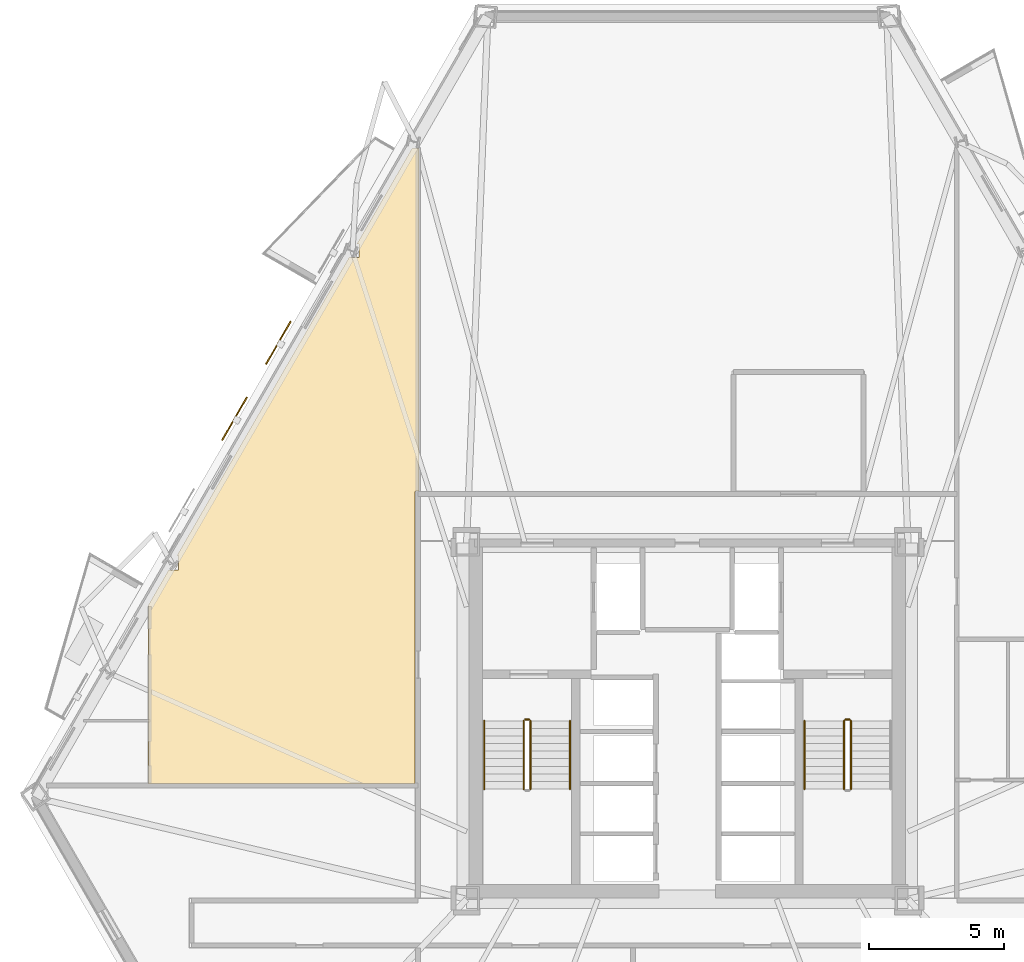
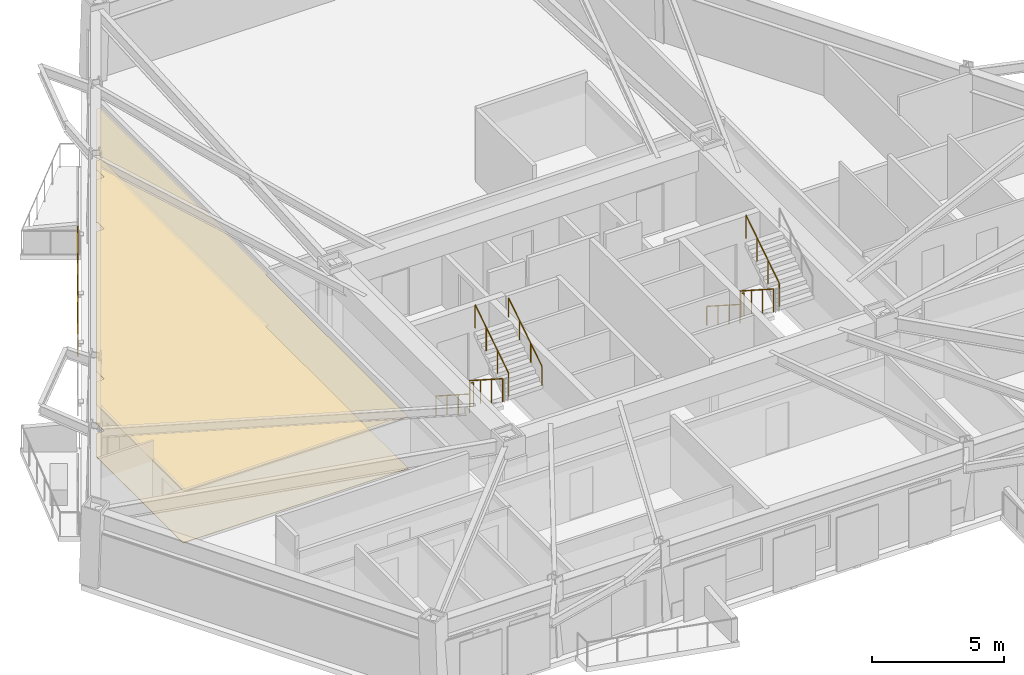
# One storey, part 11 of 12: 9 railings, 2 coverings, 2 shading devices.
"""IFC4 building model written with IfcOpenShell, lengths in metres."""

import ifcopenshell
import ifcopenshell.guid

model = None  # the IFC model being written
_history = None  # IfcOwnerHistory: only IFC2X3 demands one
_inside = {}  # id of a spatial element -> (the spatial element, [elements in it])
_under = {}  # id of a project, library or spatial element -> (it, [spatial elements below it])
_declared = {}  # id of a project -> (the project, [libraries it declares])
_typed = {}  # id of a type object -> (the type object, [elements of that type])
_made_of = {}  # id of a material, layer set ... -> (it, [elements and type objects made of it])


def new_model(schema):
    """Start an empty IFC model of exactly this schema.

    Asked for "IFC4X3", IfcOpenShell would pick the latest addendum, in which some entities
    have other attributes; the version numbers below select the first issue.
    IFC2X3 requires an IfcOwnerHistory on every rooted entity: one is made here for all.
    """
    global model, _history
    if schema == "IFC4X3":
        model = ifcopenshell.file(schema_version=(4, 3, 0, 0))
    else:
        model = ifcopenshell.file(schema=schema)
    _inside.clear()
    _under.clear()
    _declared.clear()
    _typed.clear()
    _made_of.clear()
    _history = None
    if model.schema == "IFC2X3":
        org = make("IfcOrganization", Name="unknown")
        user = make(
            "IfcPersonAndOrganization",
            ThePerson=make("IfcPerson", FamilyName="unknown"),
            TheOrganization=org,
        )
        app = make(
            "IfcApplication",
            ApplicationDeveloper=org,
            Version="unknown",
            ApplicationFullName="unknown",
            ApplicationIdentifier="unknown",
        )
        _history = make(
            "IfcOwnerHistory",
            OwningUser=user,
            OwningApplication=app,
            ChangeAction="ADDED",
            CreationDate=0,
        )
    return model


def make(cls, **values):
    """One entity of the class cls with the attributes given. An attribute that is None is left unset."""
    return model.create_entity(
        cls, **{name: value for name, value in values.items() if value is not None}
    )


def rooted(cls, **values):
    """An entity with a GlobalId (a new one), such as an element, a storey or a relation."""
    return make(cls, GlobalId=ifcopenshell.guid.new(), OwnerHistory=_history, **values)


def si_unit(unit_type, name, prefix=None):
    """IfcSIUnit, for example si_unit("LENGTHUNIT", "METRE", prefix="MILLI")."""
    return make("IfcSIUnit", UnitType=unit_type, Prefix=prefix, Name=name)


def assignment(units):
    """IfcUnitAssignment: the units of a project."""
    return None if units is None else make("IfcUnitAssignment", Units=units)


def point(xyz):
    """IfcCartesianPoint."""
    return None if xyz is None else make("IfcCartesianPoint", Coordinates=xyz)


def direction(xyz):
    """IfcDirection."""
    return None if xyz is None else make("IfcDirection", DirectionRatios=xyz)


def frame(location, z_axis=None, x_axis=None):
    """IfcAxis2Placement3D, a coordinate frame: its origin and axes. An axis left out is left unset."""
    return make(
        "IfcAxis2Placement3D",
        Location=point(location),
        Axis=direction(z_axis),
        RefDirection=direction(x_axis),
    )


def frame_2d(location, x_axis=None):
    """IfcAxis2Placement2D, a coordinate frame in the plane: its origin and x axis."""
    return make(
        "IfcAxis2Placement2D", Location=point(location), RefDirection=direction(x_axis)
    )


def origin():
    """The frame at (0, 0, 0) with its axes left unset."""
    return frame((0.0, 0.0, 0.0))


def origin_2d():
    """The frame at (0, 0) in the plane with its x axis left unset."""
    return frame_2d((0.0, 0.0))


def place(relative_to, where):
    """IfcLocalPlacement: puts the frame where relative to a parent placement (None: the world)."""
    return make(
        "IfcLocalPlacement", PlacementRelTo=relative_to, RelativePlacement=where
    )


def context(
    kind, dimensions, precision=None, world=None, true_north=None, identifier=None
):
    """IfcGeometricRepresentationContext, for example the 3D "Model" context."""
    return make(
        "IfcGeometricRepresentationContext",
        ContextIdentifier=identifier,
        ContextType=kind,
        CoordinateSpaceDimension=dimensions,
        Precision=precision,
        WorldCoordinateSystem=world,
        TrueNorth=true_north,
    )


def subcontext(parent, identifier, kind, view, scale=None):
    """IfcGeometricRepresentationSubContext, for example "Body" below "Model"."""
    return make(
        "IfcGeometricRepresentationSubContext",
        ContextIdentifier=identifier,
        ContextType=kind,
        ParentContext=parent,
        TargetScale=scale,
        TargetView=view,
    )


def project(units=None, contexts=None):
    """IfcProject with its units and contexts."""
    return rooted(
        "IfcProject",
        Name="project",
        RepresentationContexts=contexts,
        UnitsInContext=assignment(units),
    )


def spatial(cls, under=None, at=None, **own):
    """A site, building, storey or space (cls), placed at a placement, below another one or the project."""
    s = rooted(cls, ObjectPlacement=at, **own)
    if under is not None:
        _under.setdefault(under.id(), (under, []))[1].append(s)
    return s


def polyline(points):
    """IfcPolyline through the points."""
    return make("IfcPolyline", Points=[point(p) for p in points])


def profile(cls, at=None, kind="AREA", **sizes):
    """A parametric profile (cls). Its sizes go by their IFC names, for example OverallWidth=200.0."""
    return make(cls, ProfileType=kind, Position=at, **sizes)


def rectangle(**sizes):
    """IfcRectangleProfileDef."""
    return profile("IfcRectangleProfileDef", **sizes)


def circle(**sizes):
    """IfcCircleProfileDef."""
    return profile("IfcCircleProfileDef", **sizes)


def outline(outer, holes=None, kind="AREA"):
    """IfcArbitraryClosedProfileDef: a profile drawn as a closed curve; with holes, ...WithVoids."""
    if holes is None:
        return make("IfcArbitraryClosedProfileDef", ProfileType=kind, OuterCurve=outer)
    return make(
        "IfcArbitraryProfileDefWithVoids",
        ProfileType=kind,
        OuterCurve=outer,
        InnerCurves=holes,
    )


def extrude(swept, where, along, depth):
    """IfcExtrudedAreaSolid: the profile swept, set in the frame where, extruded along a direction by depth."""
    return make(
        "IfcExtrudedAreaSolid",
        SweptArea=swept,
        Position=where,
        ExtrudedDirection=direction(along),
        Depth=depth,
    )


def shape(context_of_items, identifier, shape_type, items):
    """IfcShapeRepresentation: the items that make up one representation, for example the "Body"."""
    return make(
        "IfcShapeRepresentation",
        ContextOfItems=context_of_items,
        RepresentationIdentifier=identifier,
        RepresentationType=shape_type,
        Items=items,
    )


def material(Name=None, Category=None):
    """IfcMaterial."""
    return make("IfcMaterial", Name=Name, Category=Category)


def layer(
    of_material, thickness, ventilated=None, Name=None, Category=None, Priority=None
):
    """IfcMaterialLayer: one layer of a wall or slab, of a material (None: an air gap)."""
    return make(
        "IfcMaterialLayer",
        Material=of_material,
        LayerThickness=thickness,
        IsVentilated=ventilated,
        Name=Name,
        Category=Category,
        Priority=Priority,
    )


def layer_set(layers, Name=None):
    """IfcMaterialLayerSet."""
    return make("IfcMaterialLayerSet", MaterialLayers=layers, LayerSetName=Name)


def made_of(thing, what):
    """Note that an element or type object is made of a material, layer set ...; save() writes the relation."""
    if what is not None:
        _made_of.setdefault(what.id(), (what, []))[1].append(thing)
    return thing


def type_object(cls, material=None, **own):
    """A type object (cls), such as IfcWallType, which elements share."""
    return made_of(rooted(cls, **own), material)


def element(
    cls,
    number,
    at=None,
    inside=None,
    cuts=None,
    type_object=None,
    material=None,
    context=None,
    identifier="Body",
    shape_type=None,
    held_by="IfcProductDefinitionShape",
    body=None,
    shapes=None,
    **own,
):
    """One element of the class cls, such as IfcWall. Its Tag is "e" and its number.

    at: its placement. inside: the storey or other place that contains it. cuts: it is an
    opening in that element (IfcRelVoidsElement). A single representation is given by context,
    identifier, shape_type and body (its items); several are given by shapes. held_by: the class
    of the entity that holds the representations. save() writes the other relations.
    """
    e = rooted(cls, Tag="e%d" % number, ObjectPlacement=at, **own)
    if body is not None:
        shapes = [shape(context, identifier, shape_type, body)]
    if shapes is not None:
        e.Representation = make(held_by, Representations=shapes)
    if inside is not None:
        _inside.setdefault(inside.id(), (inside, []))[1].append(e)
    if cuts is not None:
        rooted(
            "IfcRelVoidsElement", RelatingBuildingElement=cuts, RelatedOpeningElement=e
        )
    if type_object is not None:
        _typed.setdefault(type_object.id(), (type_object, []))[1].append(e)
    return made_of(e, material)


def aggregate(whole, parts):
    """IfcRelAggregates: a whole, such as a stair, and the parts it consists of."""
    return rooted("IfcRelAggregates", RelatingObject=whole, RelatedObjects=parts)


def save(model, path):
    """Write the relations noted so far, then the file.

    IfcRelAggregates (storeys below a building ...), IfcRelContainedInSpatialStructure (elements
    in a storey), IfcRelDefinesByType, IfcRelAssociatesMaterial and IfcRelDeclares: one each for
    every whole, place, type object, material and project.
    """
    for whole, parts in _under.values():
        aggregate(whole, parts)
    for where, things in _inside.values():
        rooted(
            "IfcRelContainedInSpatialStructure",
            RelatedElements=things,
            RelatingStructure=where,
        )
    for kind, things in _typed.values():
        rooted("IfcRelDefinesByType", RelatedObjects=things, RelatingType=kind)
    for what, things in _made_of.values():
        rooted("IfcRelAssociatesMaterial", RelatedObjects=things, RelatingMaterial=what)
    for by, libraries in _declared.values():
        rooted("IfcRelDeclares", RelatingContext=by, RelatedDefinitions=libraries)
    model.write(path)


model = new_model("IFC4")

# Units and contexts
model_context = context("Model", 3, precision=1e-05, world=origin(), true_north=direction((0.0, 1.0)))
body_context = subcontext(model_context, "Body", "Model", "MODEL_VIEW")
ifc_project = project(units=[si_unit("LENGTHUNIT", "METRE"), si_unit("AREAUNIT", "SQUARE_METRE"), si_unit("VOLUMEUNIT", "CUBIC_METRE"), si_unit("PLANEANGLEUNIT", "RADIAN"), si_unit("MASSUNIT", "GRAM", prefix="KILO")], contexts=[model_context])

# Site, building, storey
site_placement = place(None, origin())
site = spatial("IfcSite", under=ifc_project, at=site_placement, CompositionType="ELEMENT")
building_placement = place(site_placement, origin())
building = spatial("IfcBuilding", under=site, at=building_placement, Name="Oramaril Tower", CompositionType="ELEMENT")
storey_placement = place(building_placement, frame((0.0, 0.0, 45.300048828125)))
storey = spatial("IfcBuildingStorey", under=building, at=storey_placement, Name="L11", CompositionType="ELEMENT", Elevation=45.300048828125)

# Coverings
ifc_material_1 = material(Name="Mineral Fibre Acoustic Ceiling")
ifc_layer_1 = layer(ifc_material_1, 0.02001953125)
ifc_layer_set_1 = layer_set([ifc_layer_1], Name="CVT-CEIL")
covering_type_1 = type_object("IfcCoveringType", Name="CVT-CEIL", PredefinedType="CEILING", material=ifc_layer_set_1)
covering_1_placement = place(storey_placement, frame((0.0, 0.0, 2.39990234375)))
element("IfcCovering", 1, at=covering_1_placement, inside=storey, type_object=covering_type_1, Name="L11 Acoustic Suspended Ceiling 15", PredefinedType="CEILING", context=body_context, shape_type="SweptSolid", body=[
    extrude(outline(polyline([(17.610107421875, 21.878173828125), (18.34716796875, 23.154541015625), (18.71240234375, 23.154541015625), (18.71240234375, 23.6953125), (18.6591796875, 23.6953125), (25.0087890625, 34.693115234375), (25.3740234375, 34.693115234375), (25.3740234375, 35.200927734375), (25.302001953125, 35.200927734375), (27.340576171875, 38.7314453125), (27.592041015625, 38.7314453125), (27.592041015625, 26.070068359375), (27.469970703125, 26.070068359375), (27.468017578125, 26.06982421875), (27.466064453125, 26.069580078125), (27.464111328125, 26.069091796875), (27.46240234375, 26.068603515625), (27.460693359375, 26.067626953125), (27.458984375, 26.066650390625), (27.457275390625, 26.0654296875), (27.455810546875, 26.064208984375), (27.45458984375, 26.062744140625), (27.453369140625, 26.06103515625), (27.452392578125, 26.059326171875), (27.451416015625, 26.0576171875), (27.450927734375, 26.055908203125), (27.450439453125, 26.053955078125), (27.4501953125, 26.052001953125), (27.449951171875, 26.050048828125), (27.449951171875, 24.239990234375), (27.4501953125, 24.238037109375), (27.450439453125, 24.236083984375), (27.450927734375, 24.234130859375), (27.451416015625, 24.232421875), (27.452392578125, 24.230712890625), (27.45263671875, 24.22998046875), (27.452392578125, 24.2294921875), (27.451416015625, 24.227783203125), (27.450927734375, 24.225830078125), (27.450439453125, 24.223876953125), (27.4501953125, 24.221923828125), (27.449951171875, 24.219970703125), (27.449951171875, 15.261962890625), (17.610107421875, 15.261962890625), (17.610107421875, 21.878173828125)])), origin(), (0.0, 0.0, 1.0), 0.02001953125),
])
ifc_material_2 = material(Name="Honed Quartzite Stone Flooring", Category="masonry")
ifc_layer_2 = layer(ifc_material_2, 0.02490234375)
ifc_layer_set_2 = layer_set([ifc_layer_2], Name="CVT-FLR")
covering_type_2 = type_object("IfcCoveringType", Name="CVT-FLR", PredefinedType="FLOORING", material=ifc_layer_set_2)
covering_2_placement = place(storey_placement, origin())
element("IfcCovering", 2, at=covering_2_placement, inside=storey, type_object=covering_type_2, Name="L11 Honed Stone Floor Finish 15", PredefinedType="FLOORING", context=body_context, shape_type="SweptSolid", body=[
    extrude(outline(polyline([(17.610107421875, 21.878173828125), (18.34716796875, 23.154541015625), (18.71240234375, 23.154541015625), (18.71240234375, 23.6953125), (18.6591796875, 23.6953125), (25.0087890625, 34.693115234375), (25.3740234375, 34.693115234375), (25.3740234375, 35.200927734375), (25.302001953125, 35.200927734375), (27.340576171875, 38.7314453125), (27.592041015625, 38.7314453125), (27.592041015625, 26.070068359375), (27.469970703125, 26.070068359375), (27.468017578125, 26.06982421875), (27.466064453125, 26.069580078125), (27.464111328125, 26.069091796875), (27.46240234375, 26.068603515625), (27.460693359375, 26.067626953125), (27.458984375, 26.066650390625), (27.457275390625, 26.0654296875), (27.455810546875, 26.064208984375), (27.45458984375, 26.062744140625), (27.453369140625, 26.06103515625), (27.452392578125, 26.059326171875), (27.451416015625, 26.0576171875), (27.450927734375, 26.055908203125), (27.450439453125, 26.053955078125), (27.4501953125, 26.052001953125), (27.449951171875, 26.050048828125), (27.449951171875, 24.239990234375), (27.4501953125, 24.238037109375), (27.450439453125, 24.236083984375), (27.450927734375, 24.234130859375), (27.451416015625, 24.232421875), (27.452392578125, 24.230712890625), (27.45263671875, 24.22998046875), (27.452392578125, 24.2294921875), (27.451416015625, 24.227783203125), (27.450927734375, 24.225830078125), (27.450439453125, 24.223876953125), (27.4501953125, 24.221923828125), (27.449951171875, 24.219970703125), (27.449951171875, 15.261962890625), (17.610107421875, 15.261962890625), (17.610107421875, 21.878173828125)])), origin(), (0.0, 0.0, 1.0), 0.02490234375),
])

# Railings
ifc_material_3 = material(Name="Stainless Steel 316L", Category="steel")
railing_type_1 = type_object("IfcRailingType", Name="RLT-GRD", PredefinedType="GUARDRAIL", material=ifc_material_3)
railing_1_placement = place(storey_placement, frame((31.4599609375, 17.590087890625, 0.179931640625)))
element("IfcRailing", 3, at=railing_1_placement, inside=storey, type_object=railing_type_1, Name="L11 ST-1 stair guard 1", PredefinedType="GUARDRAIL", context=body_context, shape_type="SweptSolid", body=[
    extrude(circle(Radius=0.02392578125, at=origin_2d()), frame((0.0, 0.0, 1.076171875), z_axis=(0.0, -0.841162588446, 0.540782303519), x_axis=(1.0, 0.0, 0.0)), (0.0, 0.0, 1.0), 2.995849609375),
    extrude(circle(Radius=0.02099609375, at=origin_2d()), origin(), (0.0, 0.0, 1.0), 1.052001953125),
    extrude(circle(Radius=0.02099609375, at=origin_2d()), frame((0.0, -0.840087890625, 0.5400390625)), (0.0, 0.0, 1.0), 1.052001953125),
    extrude(circle(Radius=0.02099609375, at=origin_2d()), frame((0.0, -1.679931640625, 1.080078125)), (0.0, 0.0, 1.0), 1.052001953125),
    extrude(circle(Radius=0.02099609375, at=origin_2d()), frame((0.0, -2.52001953125, 1.6201171875)), (0.0, 0.0, 1.0), 1.052001953125),
])
railing_2_placement = place(storey_placement, frame((31.7099609375, 15.070068359375, 1.97998046875)))
element("IfcRailing", 4, at=railing_2_placement, inside=storey, type_object=railing_type_1, Name="L11 ST-1 stair guard 3", PredefinedType="GUARDRAIL", context=body_context, shape_type="SweptSolid", body=[
    extrude(circle(Radius=0.02392578125, at=origin_2d()), frame((0.0, 0.0, 1.076171875), z_axis=(0.0, 0.841199657755, 0.540724639528), x_axis=(-1.0, 0.0, 0.0)), (0.0, 0.0, 1.0), 2.995849609375),
    extrude(circle(Radius=0.02099609375, at=origin_2d()), origin(), (0.0, 0.0, 1.0), 1.052001953125),
    extrude(circle(Radius=0.02099609375, at=origin_2d()), frame((0.0, 0.840087890625, 0.5400390625)), (0.0, 0.0, 1.0), 1.052001953125),
    extrude(circle(Radius=0.02099609375, at=origin_2d()), frame((0.0, 1.679931640625, 1.079833984375)), (0.0, 0.0, 1.0), 1.052001953125),
    extrude(circle(Radius=0.02099609375, at=origin_2d()), frame((0.0, 2.52001953125, 1.619873046875)), (0.0, 0.0, 1.0), 1.052001953125),
])
railing_3_placement = place(storey_placement, frame((31.510009765625, 17.639892578125, 0.0)))
element("IfcRailing", 5, at=railing_3_placement, inside=storey, type_object=railing_type_1, Name="L11 ST-1 stair guard 4", PredefinedType="GUARDRAIL", context=body_context, shape_type="SweptSolid", body=[
    extrude(circle(Radius=0.02392578125, at=origin_2d()), frame((0.0, 0.0, 1.076171875), z_axis=(1.0, 0.0, 0.0), x_axis=(0.0, 1.0, 0.0)), (0.0, 0.0, 1.0), 0.14990234375),
    extrude(circle(Radius=0.02099609375, at=origin_2d()), origin(), (0.0, 0.0, 1.0), 1.052001953125),
    extrude(circle(Radius=0.02099609375, at=origin_2d()), frame((0.14990234375, 0.0, 0.0)), (0.0, 0.0, 1.0), 1.052001953125),
])
railing_4_placement = place(storey_placement, frame((43.2900390625, 17.590087890625, 0.179931640625)))
element("IfcRailing", 6, at=railing_4_placement, inside=storey, type_object=railing_type_1, Name="L11 ST-2 stair guard 1", PredefinedType="GUARDRAIL", context=body_context, shape_type="SweptSolid", body=[
    extrude(circle(Radius=0.02392578125, at=origin_2d()), frame((0.0, 0.0, 1.076171875), z_axis=(0.0, -0.841162588446, 0.540782303519), x_axis=(1.0, 0.0, 0.0)), (0.0, 0.0, 1.0), 2.995849609375),
    extrude(circle(Radius=0.02099609375, at=origin_2d()), origin(), (0.0, 0.0, 1.0), 1.052001953125),
    extrude(circle(Radius=0.02099609375, at=origin_2d()), frame((0.0, -0.840087890625, 0.5400390625)), (0.0, 0.0, 1.0), 1.052001953125),
    extrude(circle(Radius=0.02099609375, at=origin_2d()), frame((0.0, -1.679931640625, 1.080078125)), (0.0, 0.0, 1.0), 1.052001953125),
    extrude(circle(Radius=0.02099609375, at=origin_2d()), frame((0.0, -2.52001953125, 1.6201171875)), (0.0, 0.0, 1.0), 1.052001953125),
])
railing_5_placement = place(storey_placement, frame((43.5400390625, 15.070068359375, 1.97998046875)))
element("IfcRailing", 7, at=railing_5_placement, inside=storey, type_object=railing_type_1, Name="L11 ST-2 stair guard 3", PredefinedType="GUARDRAIL", context=body_context, shape_type="SweptSolid", body=[
    extrude(circle(Radius=0.02392578125, at=origin_2d()), frame((0.0, 0.0, 1.076171875), z_axis=(0.0, 0.841199657755, 0.540724639528), x_axis=(-1.0, 0.0, 0.0)), (0.0, 0.0, 1.0), 2.995849609375),
    extrude(circle(Radius=0.02099609375, at=origin_2d()), origin(), (0.0, 0.0, 1.0), 1.052001953125),
    extrude(circle(Radius=0.02099609375, at=origin_2d()), frame((0.0, 0.840087890625, 0.5400390625)), (0.0, 0.0, 1.0), 1.052001953125),
    extrude(circle(Radius=0.02099609375, at=origin_2d()), frame((0.0, 1.679931640625, 1.079833984375)), (0.0, 0.0, 1.0), 1.052001953125),
    extrude(circle(Radius=0.02099609375, at=origin_2d()), frame((0.0, 2.52001953125, 1.619873046875)), (0.0, 0.0, 1.0), 1.052001953125),
])
railing_6_placement = place(storey_placement, frame((43.340087890625, 17.639892578125, 0.0)))
element("IfcRailing", 8, at=railing_6_placement, inside=storey, type_object=railing_type_1, Name="L11 ST-2 stair guard 4", PredefinedType="GUARDRAIL", context=body_context, shape_type="SweptSolid", body=[
    extrude(circle(Radius=0.02392578125, at=origin_2d()), frame((0.0, 0.0, 1.076171875), z_axis=(1.0, 0.0, 0.0), x_axis=(0.0, 1.0, 0.0)), (0.0, 0.0, 1.0), 0.14990234375),
    extrude(circle(Radius=0.02099609375, at=origin_2d()), origin(), (0.0, 0.0, 1.0), 1.052001953125),
    extrude(circle(Radius=0.02099609375, at=origin_2d()), frame((0.14990234375, 0.0, 0.0)), (0.0, 0.0, 1.0), 1.052001953125),
])
ifc_material_4 = material(Name="Stainless Steel 316L", Category="steel")
railing_type_2 = type_object("IfcRailingType", Name="RLT-HND", PredefinedType="HANDRAIL", material=ifc_material_4)
railing_7_placement = place(storey_placement, frame((30.0, 17.590087890625, 0.179931640625)))
element("IfcRailing", 9, at=railing_7_placement, inside=storey, type_object=railing_type_2, Name="L11 ST-1 stair handrail 1", PredefinedType="HANDRAIL", context=body_context, shape_type="SweptSolid", body=[
    extrude(circle(Radius=0.02392578125, at=origin_2d()), frame((0.0, 0.0, 0.8759765625), z_axis=(0.0, -0.841162588446, 0.540782303519), x_axis=(1.0, 0.0, 0.0)), (0.0, 0.0, 1.0), 2.995849609375),
    extrude(circle(Radius=0.02099609375, at=origin_2d()), origin(), (0.0, 0.0, 1.0), 0.851806640625),
    extrude(circle(Radius=0.02099609375, at=origin_2d()), frame((0.0, -0.840087890625, 0.5400390625)), (0.0, 0.0, 1.0), 0.851806640625),
    extrude(circle(Radius=0.02099609375, at=origin_2d()), frame((0.0, -1.679931640625, 1.080078125)), (0.0, 0.0, 1.0), 0.851806640625),
    extrude(circle(Radius=0.02099609375, at=origin_2d()), frame((0.0, -2.52001953125, 1.6201171875)), (0.0, 0.0, 1.0), 0.851806640625),
])
railing_8_placement = place(storey_placement, frame((33.169921875, 15.070068359375, 1.97998046875)))
element("IfcRailing", 10, at=railing_8_placement, inside=storey, type_object=railing_type_2, Name="L11 ST-1 stair handrail 2", PredefinedType="HANDRAIL", context=body_context, shape_type="SweptSolid", body=[
    extrude(circle(Radius=0.02392578125, at=origin_2d()), frame((0.0, 0.0, 0.8759765625), z_axis=(0.0, 0.841199657755, 0.540724639528), x_axis=(-1.0, 0.0, 0.0)), (0.0, 0.0, 1.0), 2.995849609375),
    extrude(circle(Radius=0.02099609375, at=origin_2d()), origin(), (0.0, 0.0, 1.0), 0.851806640625),
    extrude(circle(Radius=0.02099609375, at=origin_2d()), frame((0.0, 0.840087890625, 0.5400390625)), (0.0, 0.0, 1.0), 0.851806640625),
    extrude(circle(Radius=0.02099609375, at=origin_2d()), frame((0.0, 1.679931640625, 1.079833984375)), (0.0, 0.0, 1.0), 0.851806640625),
    extrude(circle(Radius=0.02099609375, at=origin_2d()), frame((0.0, 2.52001953125, 1.619873046875)), (0.0, 0.0, 1.0), 0.851806640625),
])
railing_9_placement = place(storey_placement, frame((41.830078125, 17.590087890625, 0.179931640625)))
element("IfcRailing", 11, at=railing_9_placement, inside=storey, type_object=railing_type_2, Name="L11 ST-2 stair handrail 1", PredefinedType="HANDRAIL", context=body_context, shape_type="SweptSolid", body=[
    extrude(circle(Radius=0.02392578125, at=origin_2d()), frame((0.0, 0.0, 0.8759765625), z_axis=(0.0, -0.841162588446, 0.540782303519), x_axis=(1.0, 0.0, 0.0)), (0.0, 0.0, 1.0), 2.995849609375),
    extrude(circle(Radius=0.02099609375, at=origin_2d()), origin(), (0.0, 0.0, 1.0), 0.851806640625),
    extrude(circle(Radius=0.02099609375, at=origin_2d()), frame((0.0, -0.840087890625, 0.5400390625)), (0.0, 0.0, 1.0), 0.851806640625),
    extrude(circle(Radius=0.02099609375, at=origin_2d()), frame((0.0, -1.679931640625, 1.080078125)), (0.0, 0.0, 1.0), 0.851806640625),
    extrude(circle(Radius=0.02099609375, at=origin_2d()), frame((0.0, -2.52001953125, 1.6201171875)), (0.0, 0.0, 1.0), 0.851806640625),
])

# Shading devices
for number, where, z_axis, x_axis, name in (
    (12, (22.399658203125, 31.549560546875, -0.02001953125), (0.0, 0.0, 1.0), (-0.500001511499, -0.866024531118, 0.0), "L11 Perforated Ceramic Solar Screen"),
    (13, (20.77978515625, 28.744384765625, -0.02001953125), (0.0, 0.0, 1.0), (-0.500001511499, -0.866024531118, 0.0), "L11 Perforated Ceramic Solar Screen"),
):
    element("IfcShadingDevice", number, at=place(storey_placement, frame(where, z_axis=z_axis, x_axis=x_axis)), inside=storey, Name=name, ObjectType="SCREEN", PredefinedType="USERDEFINED", context=body_context, shape_type="SweptSolid", body=[
        extrude(rectangle(XDim=1.8330078125, YDim=0.050048828125, at=origin_2d()), origin(), (0.0, 0.0, 1.0), 2.493896484375),
    ])

save(model, "model.ifc")
